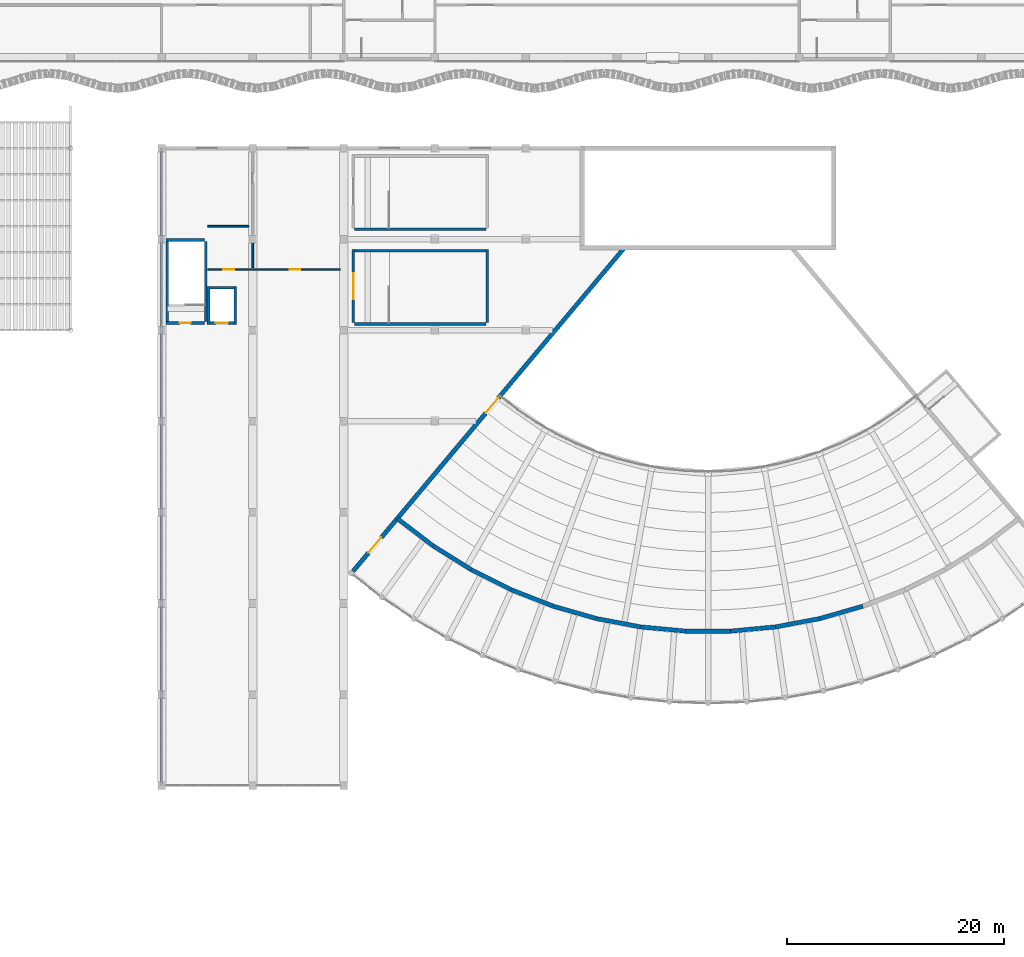
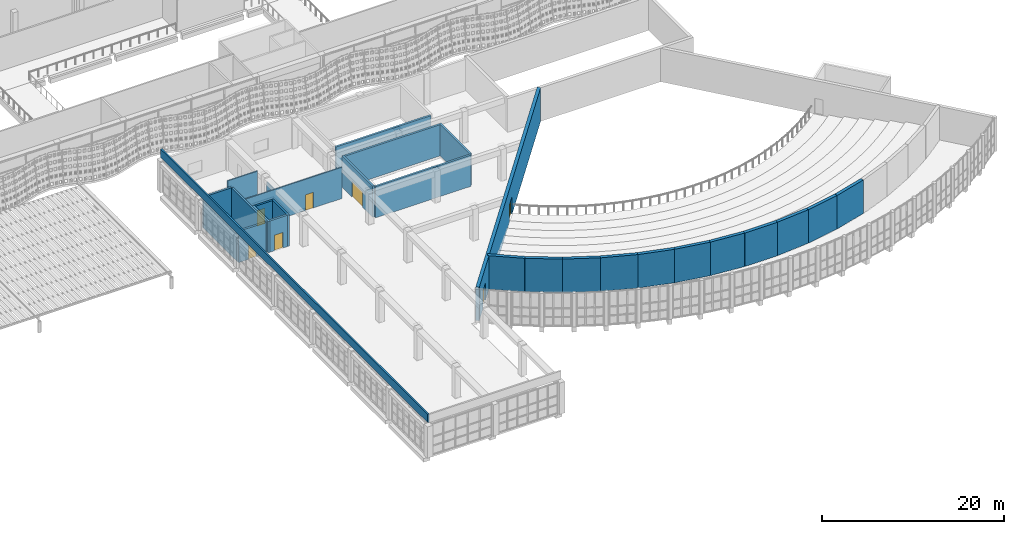
# One storey, part 85 of 162: 29 walls, 7 doors, 7 openings.
"""IFC4 building model written with IfcOpenShell, lengths in metres."""

from ifc_helpers import new_model, si_unit, direction, frame, frame_2d, origin, place, context, subcontext, project, spatial, rectangle, extrude, material, layer, layer_set, type_object, element, fill, save


model = new_model("IFC4")

# Units and contexts
model_context = context("Model", 3, precision=1e-05, world=origin(), true_north=direction((0.0, 1.0)))
body_context = subcontext(model_context, "Body", "Model", "MODEL_VIEW")
ifc_project = project(units=[si_unit("LENGTHUNIT", "METRE"), si_unit("AREAUNIT", "SQUARE_METRE"), si_unit("VOLUMEUNIT", "CUBIC_METRE"), si_unit("PLANEANGLEUNIT", "RADIAN"), si_unit("MASSUNIT", "GRAM", prefix="KILO")], contexts=[model_context])

# Site, building, storey
site_placement = place(None, origin())
site = spatial("IfcSite", under=ifc_project, at=site_placement, CompositionType="ELEMENT")
building_placement = place(site_placement, origin())
building = spatial("IfcBuilding", under=site, at=building_placement, Name="Rain Tree Exposition and Congress Centre", CompositionType="ELEMENT")
storey_placement = place(building_placement, frame((0.0, 0.0, 6.0)))
storey = spatial("IfcBuildingStorey", under=building, at=storey_placement, Name="L01", CompositionType="ELEMENT", Elevation=6.0)

# Wall, openings, doors
ifc_material_1 = material(Name="Concrete C40/50", Category="concrete")
ifc_layer_1 = layer(ifc_material_1, 0.39990234375)
ifc_layer_set_1 = layer_set([ifc_layer_1], Name="Concrete C40/50")
wall_type_1 = type_object("IfcWallType", Name="Acoustic wall 400", PredefinedType="SHEAR", material=ifc_layer_set_1)
wall_1_placement = place(storey_placement, frame((193.886474609375, 58.007568359375, 0.0), z_axis=(0.0, 0.0, 1.0), x_axis=(-0.642781866374, -0.766049262293, 0.0)))
wall_1 = element("IfcWall", 1, at=wall_1_placement, inside=storey, type_object=wall_type_1, Name="Side wall W", PredefinedType="SHEAR", context=body_context, shape_type="SweptSolid", body=[
    extrude(rectangle(XDim=38.949951171875, YDim=0.39990234375, at=frame_2d((19.47509765625, 0.0))), origin(), (0.0, 0.0, 1.0), 4.5),
])
opening_1_placement = place(wall_1_placement, frame((18.10009765625, 0.0, 0.0)))
opening_1 = element("IfcOpeningElement", 2, at=opening_1_placement, cuts=wall_1, Name="Opening DG108", PredefinedType="OPENING", context=body_context, shape_type="SweptSolid", body=[
    extrude(rectangle(XDim=1.800048828125, YDim=2.39990234375, at=frame_2d((0.89990234375, 1.199951171875))), frame((0.0, 0.199951171875, 0.0), z_axis=(0.0, -1.0, 0.0), x_axis=(1.0, 0.0, 0.0)), (0.0, 0.0, 1.0), 0.39990234375),
])
opening_2_placement = place(wall_1_placement, frame((34.89990234375, 0.0, 0.0)))
opening_2 = element("IfcOpeningElement", 3, at=opening_2_placement, cuts=wall_1, Name="Opening DG109", PredefinedType="OPENING", context=body_context, shape_type="SweptSolid", body=[
    extrude(rectangle(XDim=1.800048828125, YDim=2.39990234375, at=frame_2d((0.89990234375, 1.199951171875))), frame((0.0, 0.199951171875, 0.0), z_axis=(0.0, -1.0, 0.0), x_axis=(1.0, 0.0, 0.0)), (0.0, 0.0, 1.0), 0.39990234375),
])
ifc_material_2 = material(Name="Timber with steel frame", Category="steel")
door_type_1 = type_object("IfcDoorType", Name="Auditorium exit door 1800x2400", OperationType="DOUBLE_DOOR_SINGLE_SWING", PredefinedType="DOOR", material=ifc_material_2)
door_1_placement = place(opening_1_placement, origin())
door_1 = element("IfcDoor", 4, at=door_1_placement, inside=storey, type_object=door_type_1, Name="DG108", OperationType="DOUBLE_DOOR_SINGLE_SWING", OverallHeight=2.39990234375, OverallWidth=1.800048828125, PredefinedType="DOOR", context=body_context, shape_type="SweptSolid", body=[
    extrude(rectangle(XDim=1.800048828125, YDim=2.39990234375, at=frame_2d((0.89990234375, 1.199951171875))), frame((0.0, 0.02490234375, 0.0), z_axis=(0.0, -1.0, 0.0), x_axis=(1.0, 0.0, 0.0)), (0.0, 0.0, 1.0), 0.050048828125),
])
fill(opening_1, door_1)
door_2_placement = place(opening_2_placement, origin())
door_2 = element("IfcDoor", 5, at=door_2_placement, inside=storey, type_object=door_type_1, Name="DG109", OperationType="DOUBLE_DOOR_SINGLE_SWING", OverallHeight=2.39990234375, OverallWidth=1.800048828125, PredefinedType="DOOR", context=body_context, shape_type="SweptSolid", body=[
    extrude(rectangle(XDim=1.800048828125, YDim=2.39990234375, at=frame_2d((0.89990234375, 1.199951171875))), frame((0.0, 0.02490234375, 0.0), z_axis=(0.0, -1.0, 0.0), x_axis=(1.0, 0.0, 0.0)), (0.0, 0.0, 1.0), 0.050048828125),
])
fill(opening_2, door_2)

# Walls
for number, where, z_axis, x_axis, name in (
    (6, (172.931640625, 33.034423828125, 0.0), (0.0, 0.0, 1.0), (0.795116964112, -0.60645611002, 0.0), "Rear wall 1"),
    (7, (176.2314453125, 30.517578125, 0.0), (0.0, 0.0, 1.0), (0.848051178058, -0.529914332127, 0.0), "Rear wall 2"),
):
    element("IfcWall", number, at=place(storey_placement, frame(where, z_axis=z_axis, x_axis=x_axis)), inside=storey, type_object=wall_type_1, Name=name, PredefinedType="SHEAR", context=body_context, shape_type="SweptSolid", body=[
        extrude(rectangle(XDim=4.150146484375, YDim=0.39990234375, at=frame_2d((2.0751953125, 0.0))), origin(), (0.0, 0.0, 1.0), 4.5),
    ])
wall_2_placement = place(storey_placement, frame((179.7509765625, 28.318359375, 0.0), z_axis=(0.0, 0.0, 1.0), x_axis=(0.893625673421, -0.448813052175, 0.0)))
element("IfcWall", 8, at=wall_2_placement, inside=storey, type_object=wall_type_1, Name="Rear wall 3", PredefinedType="SHEAR", context=body_context, shape_type="SweptSolid", body=[
    extrude(rectangle(XDim=4.14990234375, YDim=0.39990234375, at=frame_2d((2.074951171875, 0.0))), origin(), (0.0, 0.0, 1.0), 4.5),
])
wall_3_placement = place(storey_placement, frame((183.45947265625, 26.455810546875, 0.0), z_axis=(0.0, 0.0, 1.0), x_axis=(0.931480400258, -0.363791511633, 0.0)))
element("IfcWall", 9, at=wall_3_placement, inside=storey, type_object=wall_type_1, Name="Rear wall 4", PredefinedType="SHEAR", context=body_context, shape_type="SweptSolid", body=[
    extrude(rectangle(XDim=4.150146484375, YDim=0.39990234375, at=frame_2d((2.0751953125, 0.0))), origin(), (0.0, 0.0, 1.0), 4.5),
])
wall_4_placement = place(storey_placement, frame((187.3251953125, 24.946044921875, 0.0), z_axis=(0.0, 0.0, 1.0), x_axis=(0.961268236171, -0.275614546295, 0.0)))
element("IfcWall", 10, at=wall_4_placement, inside=storey, type_object=wall_type_1, Name="Rear wall 5", PredefinedType="SHEAR", context=body_context, shape_type="SweptSolid", body=[
    extrude(rectangle(XDim=4.14990234375, YDim=0.39990234375, at=frame_2d((2.074951171875, 0.0))), origin(), (0.0, 0.0, 1.0), 4.5),
])
for number, where, z_axis, x_axis, name in (
    (11, (191.314453125, 23.80224609375, 0.0), (0.0, 0.0, 1.0), (0.982713991067, -0.185130256204, 0.0), "Rear wall 6"),
    (12, (195.392822265625, 23.033935546875, 0.0), (0.0, 0.0, 1.0), (0.99567088113, -0.09294889171, 0.0), "Rear wall 7"),
    (13, (199.52490234375, 22.648193359375, 0.0), (0.0, 0.0, 1.0), (1.0, 0.0, 0.0), "Rear wall 8"),
    (14, (203.675048828125, 22.648193359375, 0.0), (0.0, 0.0, 1.0), (0.99567088113, 0.09294889171, 0.0), "Rear wall 9"),
    (15, (207.80712890625, 23.033935546875, 0.0), (0.0, 0.0, 1.0), (0.982713991067, 0.185130256204, 0.0), "Rear wall 10"),
):
    element("IfcWall", number, at=place(storey_placement, frame(where, z_axis=z_axis, x_axis=x_axis)), inside=storey, type_object=wall_type_1, Name=name, PredefinedType="SHEAR", context=body_context, shape_type="SweptSolid", body=[
        extrude(rectangle(XDim=4.150146484375, YDim=0.39990234375, at=frame_2d((2.0751953125, 0.0))), origin(), (0.0, 0.0, 1.0), 4.5),
    ])
wall_5_placement = place(storey_placement, frame((211.885498046875, 23.80224609375, 0.0), z_axis=(0.0, 0.0, 1.0), x_axis=(0.961268236171, 0.275614546295, 0.0)))
element("IfcWall", 16, at=wall_5_placement, inside=storey, type_object=wall_type_1, Name="Rear wall 11", PredefinedType="SHEAR", context=body_context, shape_type="SweptSolid", body=[
    extrude(rectangle(XDim=4.14990234375, YDim=0.39990234375, at=frame_2d((2.074951171875, 0.0))), origin(), (0.0, 0.0, 1.0), 4.5),
])

# Wall, opening, door
ifc_material_3 = material(Name="Concrete C40/50", Category="concrete")
ifc_layer_2 = layer(ifc_material_3, 0.25)
ifc_layer_set_2 = layer_set([ifc_layer_2], Name="Concrete C40/50")
wall_type_2 = type_object("IfcWallType", Name="Core wall 250", PredefinedType="SHEAR", material=ifc_layer_set_2)
wall_6_placement = place(storey_placement, frame((155.14990234375, 51.074951171875, 0.0), z_axis=(0.0, 0.0, 1.0), x_axis=(-1.0, 0.0, 0.0)))
wall_6 = element("IfcWall", 17, at=wall_6_placement, inside=storey, type_object=wall_type_2, Name="Stair ST-G1 near wall", PredefinedType="SHEAR", context=body_context, shape_type="SweptSolid", body=[
    extrude(rectangle(XDim=3.5498046875, YDim=0.25, at=frame_2d((1.77490234375, 0.0))), origin(), (0.0, 0.0, 1.0), 4.199951171875),
])
opening_3_placement = place(wall_6_placement, frame((1.27490234375, 0.0, 0.0)))
opening_3 = element("IfcOpeningElement", 18, at=opening_3_placement, cuts=wall_6, Name="Opening DG133", PredefinedType="OPENING", context=body_context, shape_type="SweptSolid", body=[
    extrude(rectangle(XDim=1.0, YDim=2.10009765625, at=frame_2d((0.5, 1.050048828125))), frame((0.0, 0.125, 0.0), z_axis=(0.0, -1.0, 0.0), x_axis=(1.0, 0.0, 0.0)), (0.0, 0.0, 1.0), 0.25),
])
ifc_material_4 = material(Name="Steel", Category="steel")
door_type_2 = type_object("IfcDoorType", Name="Fire door 1000x2100 congress", OperationType="NOTDEFINED", PredefinedType="DOOR", material=ifc_material_4)
door_3_placement = place(opening_3_placement, origin())
door_3 = element("IfcDoor", 19, at=door_3_placement, inside=storey, type_object=door_type_2, Name="DG133", OperationType="SINGLE_SWING_RIGHT", OverallHeight=2.10009765625, OverallWidth=1.0, PredefinedType="DOOR", context=body_context, shape_type="SweptSolid", body=[
    extrude(rectangle(XDim=1.0, YDim=2.10009765625, at=frame_2d((0.5, 1.050048828125))), frame((0.0, 0.02490234375, 0.0), z_axis=(0.0, -1.0, 0.0), x_axis=(1.0, 0.0, 0.0)), (0.0, 0.0, 1.0), 0.050048828125),
])
fill(opening_3, door_3)

# Walls
wall_7_placement = place(storey_placement, frame((155.14990234375, 58.72509765625, 0.0), z_axis=(0.0, 0.0, 1.0), x_axis=(-1.0, 0.0, 0.0)))
element("IfcWall", 20, at=wall_7_placement, inside=storey, type_object=wall_type_2, Name="Stair ST-G1 far wall", PredefinedType="SHEAR", context=body_context, shape_type="SweptSolid", body=[
    extrude(rectangle(XDim=3.5498046875, YDim=0.25, at=frame_2d((1.77490234375, 0.0))), origin(), (0.0, 0.0, 1.0), 4.199951171875),
])
for number, where, z_axis, x_axis, name in (
    (21, (151.72509765625, 51.199951171875, 0.0), (0.0, 0.0, 1.0), (0.0, 1.0, 0.0), "Stair ST-G1 outer wall"),
    (22, (155.27490234375, 51.199951171875, 0.0), (0.0, 0.0, 1.0), (0.0, 1.0, 0.0), "Stair ST-G1 inner wall"),
):
    element("IfcWall", number, at=place(storey_placement, frame(where, z_axis=z_axis, x_axis=x_axis)), inside=storey, type_object=wall_type_2, Name=name, PredefinedType="SHEAR", context=body_context, shape_type="SweptSolid", body=[
        extrude(rectangle(XDim=7.400146484375, YDim=0.25, at=frame_2d((3.7001953125, 0.0))), origin(), (0.0, 0.0, 1.0), 4.199951171875),
    ])

# Wall, opening, door
wall_8_placement = place(storey_placement, frame((168.875, 51.10009765625, 0.0), z_axis=(0.0, 0.0, 1.0), x_axis=(0.0, 1.0, 0.0)))
wall_8 = element("IfcWall", 23, at=wall_8_placement, inside=storey, type_object=wall_type_2, Name="Stair ST-G3 near wall", PredefinedType="SHEAR", context=body_context, shape_type="SweptSolid", body=[
    extrude(rectangle(XDim=6.75, YDim=0.25, at=frame_2d((3.375, 0.0))), origin(), (0.0, 0.0, 1.0), 4.199951171875),
])
opening_4_placement = place(wall_8_placement, frame((2.175048828125, 0.0, 0.0)))
opening_4 = element("IfcOpeningElement", 24, at=opening_4_placement, cuts=wall_8, Name="Opening DG137", PredefinedType="OPENING", context=body_context, shape_type="SweptSolid", body=[
    extrude(rectangle(XDim=2.39990234375, YDim=2.10009765625, at=frame_2d((1.199951171875, 1.050048828125))), frame((0.0, 0.125, 0.0), z_axis=(0.0, -1.0, 0.0), x_axis=(1.0, 0.0, 0.0)), (0.0, 0.0, 1.0), 0.25),
])
ifc_material_5 = material(Name="Steel", Category="steel")
door_type_3 = type_object("IfcDoorType", Name="Fire door double 2400x2100 congress", OperationType="DOUBLE_DOOR_SINGLE_SWING", PredefinedType="DOOR", material=ifc_material_5)
door_4_placement = place(opening_4_placement, origin())
door_4 = element("IfcDoor", 25, at=door_4_placement, inside=storey, type_object=door_type_3, Name="DG137", OperationType="DOUBLE_DOOR_SINGLE_SWING", OverallHeight=2.10009765625, OverallWidth=2.39990234375, PredefinedType="DOOR", context=body_context, shape_type="SweptSolid", body=[
    extrude(rectangle(XDim=2.39990234375, YDim=2.10009765625, at=frame_2d((1.199951171875, 1.050048828125))), frame((0.0, 0.02490234375, 0.0), z_axis=(0.0, -1.0, 0.0), x_axis=(1.0, 0.0, 0.0)), (0.0, 0.0, 1.0), 0.050048828125),
])
fill(opening_4, door_4)

# Walls
wall_9_placement = place(storey_placement, frame((181.22509765625, 51.10009765625, 0.0), z_axis=(0.0, 0.0, 1.0), x_axis=(0.0, 1.0, 0.0)))
element("IfcWall", 26, at=wall_9_placement, inside=storey, type_object=wall_type_2, Name="Stair ST-G3 far wall", PredefinedType="SHEAR", context=body_context, shape_type="SweptSolid", body=[
    extrude(rectangle(XDim=6.75, YDim=0.25, at=frame_2d((3.375, 0.0))), origin(), (0.0, 0.0, 1.0), 4.199951171875),
])
for number, where, z_axis, x_axis, name in (
    (27, (169.0, 57.72509765625, 0.0), (0.0, 0.0, 1.0), (1.0, 0.0, 0.0), "Stair ST-G3 outer wall"),
    (28, (169.0, 50.97509765625, 0.0), (0.0, 0.0, 1.0), (1.0, 0.0, 0.0), "Stair ST-G3 inner wall"),
    (29, (169.0, 59.72509765625, 0.0), (0.0, 0.0, 1.0), (1.0, 0.0, 0.0), "Stair ST-G4 inner wall"),
):
    element("IfcWall", number, at=place(storey_placement, frame(where, z_axis=z_axis, x_axis=x_axis)), inside=storey, type_object=wall_type_2, Name=name, PredefinedType="SHEAR", context=body_context, shape_type="SweptSolid", body=[
        extrude(rectangle(XDim=12.10009765625, YDim=0.25, at=frame_2d((6.050048828125, 0.0))), origin(), (0.0, 0.0, 1.0), 4.199951171875),
    ])
for number, where, z_axis, x_axis, name in (
    (30, (155.52490234375, 50.949951171875, 0.0), (0.0, 0.0, 1.0), (0.0, 1.0, 0.0), "Lift G1 shaft wall west"),
    (31, (157.97509765625, 50.949951171875, 0.0), (0.0, 0.0, 1.0), (0.0, 1.0, 0.0), "Lift G1 shaft wall east"),
):
    element("IfcWall", number, at=place(storey_placement, frame(where, z_axis=z_axis, x_axis=x_axis)), inside=storey, type_object=wall_type_2, Name=name, PredefinedType="SHEAR", context=body_context, shape_type="SweptSolid", body=[
        extrude(rectangle(XDim=3.5, YDim=0.25, at=frame_2d((1.75, 0.0))), origin(), (0.0, 0.0, 1.0), 4.199951171875),
    ])

# Wall, opening, door
wall_10_placement = place(storey_placement, frame((155.64990234375, 51.074951171875, 0.0), z_axis=(0.0, 0.0, 1.0), x_axis=(1.0, 0.0, 0.0)))
wall_10 = element("IfcWall", 32, at=wall_10_placement, inside=storey, type_object=wall_type_2, Name="Lift G1 shaft wall south", PredefinedType="SHEAR", context=body_context, shape_type="SweptSolid", body=[
    extrude(rectangle(XDim=2.2001953125, YDim=0.25, at=frame_2d((1.10009765625, 0.0))), origin(), (0.0, 0.0, 1.0), 4.199951171875),
])
opening_5_placement = place(wall_10_placement, frame((0.550048828125, 0.0, 0.0)))
opening_5 = element("IfcOpeningElement", 33, at=opening_5_placement, cuts=wall_10, Name="Opening DG131", PredefinedType="OPENING", context=body_context, shape_type="SweptSolid", body=[
    extrude(rectangle(XDim=1.10009765625, YDim=2.10009765625, at=frame_2d((0.550048828125, 1.050048828125))), frame((0.0, 0.125, 0.0), z_axis=(0.0, -1.0, 0.0), x_axis=(1.0, 0.0, 0.0)), (0.0, 0.0, 1.0), 0.25),
])
ifc_material_6 = material(Name="Stainless steel", Category="steel")
door_type_4 = type_object("IfcDoorType", Name="Lift landing door 1100x2100", OperationType="DOUBLE_DOOR_SLIDING", PredefinedType="DOOR", material=ifc_material_6)
door_5_placement = place(opening_5_placement, origin())
door_5 = element("IfcDoor", 34, at=door_5_placement, inside=storey, type_object=door_type_4, Name="DG131", OperationType="DOUBLE_DOOR_SLIDING", OverallHeight=2.10009765625, OverallWidth=1.10009765625, PredefinedType="DOOR", context=body_context, shape_type="SweptSolid", body=[
    extrude(rectangle(XDim=1.10009765625, YDim=2.10009765625, at=frame_2d((0.550048828125, 1.050048828125))), frame((0.0, 0.02490234375, 0.0), z_axis=(0.0, -1.0, 0.0), x_axis=(1.0, 0.0, 0.0)), (0.0, 0.0, 1.0), 0.050048828125),
])
fill(opening_5, door_5)

# Walls
wall_11_placement = place(storey_placement, frame((155.64990234375, 54.324951171875, 0.0), z_axis=(0.0, 0.0, 1.0), x_axis=(1.0, 0.0, 0.0)))
element("IfcWall", 35, at=wall_11_placement, inside=storey, type_object=wall_type_2, Name="Lift G1 shaft wall north", PredefinedType="SHEAR", context=body_context, shape_type="SweptSolid", body=[
    extrude(rectangle(XDim=2.2001953125, YDim=0.25, at=frame_2d((1.10009765625, 0.0))), origin(), (0.0, 0.0, 1.0), 4.199951171875),
])
ifc_material_7 = material(Name="Concrete C40/50", Category="concrete")
ifc_layer_3 = layer(ifc_material_7, 0.199951171875)
ifc_layer_set_3 = layer_set([ifc_layer_3], Name="Concrete C40/50")
wall_type_3 = type_object("IfcWallType", Name="Parapet wall 200 congress", PredefinedType="PARAPET", material=ifc_layer_set_3)
wall_12_placement = place(storey_placement, frame((151.199951171875, 8.39990234375, 4.5), z_axis=(0.0, 0.0, 1.0), x_axis=(0.0, 1.0, 0.0)))
element("IfcWall", 36, at=wall_12_placement, inside=storey, type_object=wall_type_3, Name="Foyer parapet 2", PredefinedType="PARAPET", context=body_context, shape_type="SweptSolid", body=[
    extrude(rectangle(XDim=58.800048828125, YDim=0.199951171875, at=frame_2d((29.39990234375, 0.0))), origin(), (0.0, 0.0, 1.0), 1.10009765625),
])

# Wall, openings, doors
ifc_material_8 = material(Name="Concrete block C12", Category="concrete")
ifc_layer_4 = layer(ifc_material_8, 0.14990234375)
ifc_layer_set_4 = layer_set([ifc_layer_4], Name="Concrete block C12")
wall_type_4 = type_object("IfcWallType", Name="Partition wall 150 congress", PredefinedType="PARTITIONING", material=ifc_layer_set_4)
wall_13_placement = place(storey_placement, frame((155.449951171875, 56.0, 0.0), z_axis=(0.0, 0.0, 1.0), x_axis=(1.0, 0.0, 0.0)))
wall_13 = element("IfcWall", 37, at=wall_13_placement, inside=storey, type_object=wall_type_4, Name="Toilet block wall", PredefinedType="PARTITIONING", context=body_context, shape_type="SweptSolid", body=[
    extrude(rectangle(XDim=12.199951171875, YDim=0.14990234375, at=frame_2d((6.10009765625, 0.0))), origin(), (0.0, 0.0, 1.0), 4.199951171875),
])
opening_6_placement = place(wall_13_placement, frame((7.550048828125, 0.0, 0.0)))
opening_6 = element("IfcOpeningElement", 38, at=opening_6_placement, cuts=wall_13, Name="Opening DG144", PredefinedType="OPENING", context=body_context, shape_type="SweptSolid", body=[
    extrude(rectangle(XDim=1.0, YDim=2.10009765625, at=frame_2d((0.5, 1.050048828125))), frame((0.0, 0.074951171875, 0.0), z_axis=(0.0, -1.0, 0.0), x_axis=(1.0, 0.0, 0.0)), (0.0, 0.0, 1.0), 0.14990234375),
])
opening_7_placement = place(wall_13_placement, frame((1.449951171875, 0.0, 0.0)))
opening_7 = element("IfcOpeningElement", 39, at=opening_7_placement, cuts=wall_13, Name="Opening DG145", PredefinedType="OPENING", context=body_context, shape_type="SweptSolid", body=[
    extrude(rectangle(XDim=1.0, YDim=2.10009765625, at=frame_2d((0.5, 1.050048828125))), frame((0.0, 0.074951171875, 0.0), z_axis=(0.0, -1.0, 0.0), x_axis=(1.0, 0.0, 0.0)), (0.0, 0.0, 1.0), 0.14990234375),
])
door_6_placement = place(opening_6_placement, origin())
door_6 = element("IfcDoor", 40, at=door_6_placement, inside=storey, type_object=door_type_2, Name="DG144", OperationType="SINGLE_SWING_LEFT", OverallHeight=2.10009765625, OverallWidth=1.0, PredefinedType="DOOR", context=body_context, shape_type="SweptSolid", body=[
    extrude(rectangle(XDim=1.0, YDim=2.10009765625, at=frame_2d((0.5, 1.050048828125))), frame((0.0, 0.02490234375, 0.0), z_axis=(0.0, -1.0, 0.0), x_axis=(1.0, 0.0, 0.0)), (0.0, 0.0, 1.0), 0.050048828125),
])
fill(opening_6, door_6)
ifc_material_9 = material(Name="Timber with steel frame", Category="steel")
door_type_5 = type_object("IfcDoorType", Name="Single door 1000x2100 congress", OperationType="NOTDEFINED", PredefinedType="DOOR", material=ifc_material_9)
door_7_placement = place(opening_7_placement, origin())
door_7 = element("IfcDoor", 41, at=door_7_placement, inside=storey, type_object=door_type_5, Name="DG145", OperationType="SINGLE_SWING_RIGHT", OverallHeight=2.10009765625, OverallWidth=1.0, PredefinedType="DOOR", context=body_context, shape_type="SweptSolid", body=[
    extrude(rectangle(XDim=1.0, YDim=2.10009765625, at=frame_2d((0.5, 1.050048828125))), frame((0.0, 0.02490234375, 0.0), z_axis=(0.0, -1.0, 0.0), x_axis=(1.0, 0.0, 0.0)), (0.0, 0.0, 1.0), 0.050048828125),
])
fill(opening_7, door_7)

# Walls
wall_14_placement = place(storey_placement, frame((159.60009765625, 56.14990234375, 0.0), z_axis=(0.0, 0.0, 1.0), x_axis=(0.0, 1.0, 0.0)))
element("IfcWall", 42, at=wall_14_placement, inside=storey, type_object=wall_type_4, Name="Toilet partition", PredefinedType="PARTITIONING", context=body_context, shape_type="SweptSolid", body=[
    extrude(rectangle(XDim=2.300048828125, YDim=0.14990234375, at=frame_2d((1.14990234375, 0.0))), origin(), (0.0, 0.0, 1.0), 3.550048828125),
])
wall_15_placement = place(storey_placement, frame((155.449951171875, 60.0, 0.0), z_axis=(0.0, 0.0, 1.0), x_axis=(1.0, 0.0, 0.0)))
element("IfcWall", 43, at=wall_15_placement, inside=storey, type_object=wall_type_4, Name="Accessible WC wall", PredefinedType="PARTITIONING", context=body_context, shape_type="SweptSolid", body=[
    extrude(rectangle(XDim=3.800048828125, YDim=0.14990234375, at=frame_2d((1.89990234375, 0.0))), origin(), (0.0, 0.0, 1.0), 4.199951171875),
])

save(model, "model.ifc")
